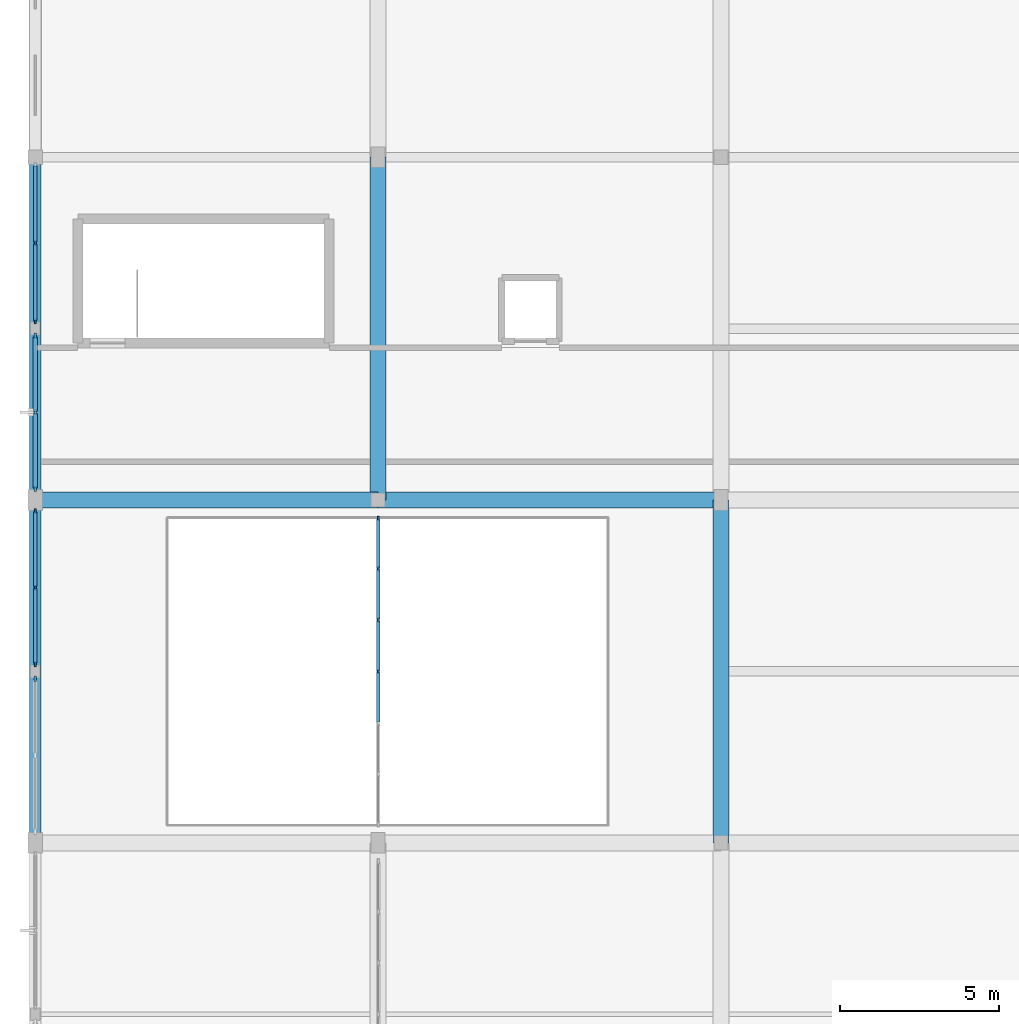
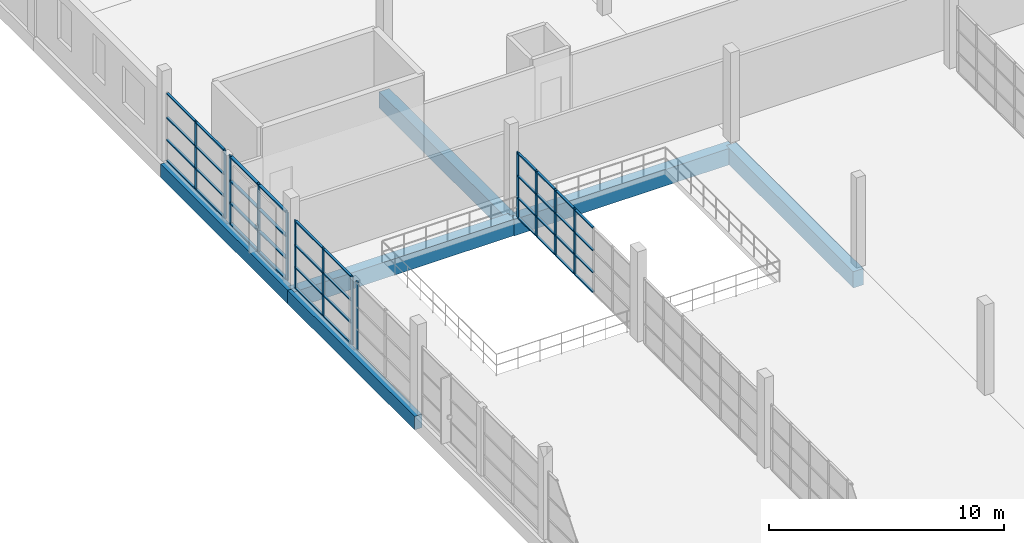
# One storey, part 32 of 142: 53 members, 6 beams, 5 elements without a shape of their own.
"""IFC4 building model written with IfcOpenShell, lengths in metres."""

from ifc_helpers import new_model, si_unit, direction, frame, origin, origin_2d, place, context, subcontext, project, spatial, rectangle, extrude, material, material_profile, profile_set, type_object, element, aggregate, save


model = new_model("IFC4")

# Units and contexts
model_context = context("Model", 3, precision=1e-05, world=origin(), true_north=direction((0.0, 1.0)))
body_context = subcontext(model_context, "Body", "Model", "MODEL_VIEW")
ifc_project = project(units=[si_unit("LENGTHUNIT", "METRE"), si_unit("AREAUNIT", "SQUARE_METRE"), si_unit("VOLUMEUNIT", "CUBIC_METRE"), si_unit("PLANEANGLEUNIT", "RADIAN"), si_unit("MASSUNIT", "GRAM", prefix="KILO")], contexts=[model_context])

# Site, building, storey
site_placement = place(None, origin())
site = spatial("IfcSite", under=ifc_project, at=site_placement, CompositionType="ELEMENT")
building_placement = place(site_placement, origin())
building = spatial("IfcBuilding", under=site, at=building_placement, Name="Zwinboog Wholesale Market", CompositionType="ELEMENT")
storey_placement = place(building_placement, frame((0.0, 0.0, 5.39990234375)))
storey = spatial("IfcBuildingStorey", under=building, at=storey_placement, Name="L01", CompositionType="ELEMENT", Elevation=5.39990234375)

# Beams
ifc_material_1 = material(Name="Precast concrete C45/55", Category="concrete")
ifc_material_profile_1 = material_profile(ifc_material_1, rectangle(XDim=0.5, YDim=0.85009765625, at=origin_2d()), Name="PC 500x850")
ifc_profile_set_1 = profile_set([ifc_material_profile_1], Name="Precast concrete C45/55")
beam_type_1 = type_object("IfcBeamType", Name="BT-03", PredefinedType="BEAM", material=ifc_profile_set_1)
for number, where, z_axis, x_axis, name in (
    (1, (0.0, 86.39990234375, -0.704833984375), (1.0, 0.0, 0.0), (0.0, 1.0, 0.0), "BG-03 (BMG-L01-0000-0864-0509)"),
    (2, (10.800048828125, 86.39990234375, -0.72998046875), (1.0, 0.0, 0.0), (0.0, 1.0, 0.0), "BG-03 (BMG-L01-0108-0864-0510)"),
    (3, (10.800048828125, 86.39990234375, -0.704833984375), (0.0, 1.0, 0.0), (-1.0, 0.0, 0.0), "BG-03 (BMG-L01-0108-0864-0619)"),
):
    element("IfcBeam", number, at=place(storey_placement, frame(where, z_axis=z_axis, x_axis=x_axis)), inside=storey, type_object=beam_type_1, Name=name, PredefinedType="BEAM", context=body_context, shape_type="SweptSolid", body=[
        extrude(rectangle(XDim=0.5, YDim=0.85009765625, at=origin_2d()), origin(), (0.0, 0.0, 1.0), 10.800048828125),
    ])
beam_1_placement = place(storey_placement, frame((21.60009765625, 75.60009765625, -0.72998046875), z_axis=(0.0, 1.0, 0.0), x_axis=(-1.0, 0.0, 0.0)))
element("IfcBeam", 4, at=beam_1_placement, inside=storey, type_object=beam_type_1, Name="BG-03 (BMG-L01-0216-0756-0630)", PredefinedType="BEAM", context=body_context, shape_type="SweptSolid", body=[
    extrude(rectangle(XDim=0.5, YDim=0.85009765625, at=origin_2d()), origin(), (0.0, 0.0, 1.0), 10.7998046875),
])
ifc_material_profile_2 = material_profile(ifc_material_1, rectangle(XDim=0.35009765625, YDim=0.699951171875, at=origin_2d()), Name="PC 350x700")
ifc_profile_set_2 = profile_set([ifc_material_profile_2], Name="Precast concrete C45/55")
beam_type_2 = type_object("IfcBeamType", Name="BT-08", PredefinedType="SPANDREL", material=ifc_profile_set_2)
beam_2_placement = place(storey_placement, frame((0.0, 75.60009765625, -0.6298828125), z_axis=(0.0, 1.0, 0.0), x_axis=(-1.0, 0.0, 0.0)))
element("IfcBeam", 5, at=beam_2_placement, inside=storey, type_object=beam_type_2, Name="SP-01 (BMG-L01-0000-0756-0608)", PredefinedType="SPANDREL", context=body_context, shape_type="SweptSolid", body=[
    extrude(rectangle(XDim=0.35009765625, YDim=0.699951171875, at=origin_2d()), origin(), (0.0, 0.0, 1.0), 10.7998046875),
])
beam_3_placement = place(storey_placement, frame((0.0, 86.39990234375, -0.6298828125), z_axis=(0.0, 1.0, 0.0), x_axis=(-1.0, 0.0, 0.0)))
element("IfcBeam", 6, at=beam_3_placement, inside=storey, type_object=beam_type_2, Name="SP-01 (BMG-L01-0000-0864-0609)", PredefinedType="SPANDREL", context=body_context, shape_type="SweptSolid", body=[
    extrude(rectangle(XDim=0.35009765625, YDim=0.699951171875, at=origin_2d()), origin(), (0.0, 0.0, 1.0), 10.800048828125),
])

# Curtain wall, member
ifc_material_2 = material(Name="Aluminium thermally broken curtain wall", Category="aluminium")
curtain_wall_type_1 = type_object("IfcCurtainWallType", Name="CWT-STALL-18", PredefinedType="USERDEFINED", material=ifc_material_2)
curtain_wall_1_placement = place(storey_placement, origin())
curtain_wall_1 = element("IfcCurtainWall", 7, at=curtain_wall_1_placement, inside=storey, type_object=curtain_wall_type_1, Name="CW-01 (CW-L01-061)", ObjectType="STOREFRONT_GLAZING", PredefinedType="USERDEFINED")
ifc_material_3 = material(Name="Aluminium EN AW-6060", Category="aluminium")
ifc_material_profile_3 = material_profile(ifc_material_3, rectangle(XDim=0.06494140625, YDim=0.179931640625, at=origin_2d()), Name="AL 65x180")
ifc_profile_set_3 = profile_set([ifc_material_profile_3], Name="Aluminium EN AW-6060")
member_type_1 = type_object("IfcMemberType", Name="CWM-65x180", PredefinedType="MULLION", material=ifc_profile_set_3)
member_1_placement = place(storey_placement, frame((0.0, 80.767578125, 0.0), z_axis=(0.0, 0.0, 1.0), x_axis=(-1.0, 0.0, 0.0)))
member_1 = element("IfcMember", 8, at=member_1_placement, type_object=member_type_1, Name="CW-01 mullion 3", PredefinedType="MULLION", context=body_context, shape_type="SweptSolid", body=[
    extrude(rectangle(XDim=0.06494140625, YDim=0.179931640625, at=origin_2d()), origin(), (0.0, 0.0, 1.0), 3.530029296875),
])
aggregate(curtain_wall_1, [member_1])

# Curtain wall, members
curtain_wall_type_2 = type_object("IfcCurtainWallType", Name="CWT-HALL-24", PredefinedType="USERDEFINED", material=ifc_material_2)
curtain_wall_2_placement = place(storey_placement, origin())
curtain_wall_2 = element("IfcCurtainWall", 9, at=curtain_wall_2_placement, inside=storey, type_object=curtain_wall_type_2, Name="CW-03 (CW-L01-063)", ObjectType="UNITIZED_CURTAIN_WALL", PredefinedType="USERDEFINED")
member_2_placement = place(storey_placement, frame((0.0, 86.75244140625, 0.0), z_axis=(0.0, 0.0, 1.0), x_axis=(-1.0, 0.0, 0.0)))
member_2 = element("IfcMember", 10, at=member_2_placement, type_object=member_type_1, Name="CW-03 mullion 1", PredefinedType="MULLION", context=body_context, shape_type="SweptSolid", body=[
    extrude(rectangle(XDim=0.06494140625, YDim=0.179931640625, at=origin_2d()), origin(), (0.0, 0.0, 1.0), 3.530029296875),
])
member_3_placement = place(storey_placement, frame((0.0, 89.159912109375, 0.0), z_axis=(0.0, 0.0, 1.0), x_axis=(-1.0, 0.0, 0.0)))
member_3 = element("IfcMember", 11, at=member_3_placement, type_object=member_type_1, Name="CW-03 mullion 2", PredefinedType="MULLION", context=body_context, shape_type="SweptSolid", body=[
    extrude(rectangle(XDim=0.06494140625, YDim=0.179931640625, at=origin_2d()), origin(), (0.0, 0.0, 1.0), 3.530029296875),
])
member_4_placement = place(storey_placement, frame((0.0, 91.5673828125, 0.0), z_axis=(0.0, 0.0, 1.0), x_axis=(-1.0, 0.0, 0.0)))
member_4 = element("IfcMember", 12, at=member_4_placement, type_object=member_type_1, Name="CW-03 mullion 3", PredefinedType="MULLION", context=body_context, shape_type="SweptSolid", body=[
    extrude(rectangle(XDim=0.06494140625, YDim=0.179931640625, at=origin_2d()), origin(), (0.0, 0.0, 1.0), 3.530029296875),
])

curtain_wall_type_3 = type_object("IfcCurtainWallType", Name="CWT-STALL-20", PredefinedType="USERDEFINED", material=ifc_material_2)
curtain_wall_3_placement = place(storey_placement, origin())
curtain_wall_3 = element("IfcCurtainWall", 13, at=curtain_wall_3_placement, inside=storey, type_object=curtain_wall_type_3, Name="CW-02 (CW-L01-062)", ObjectType="STOREFRONT_GLAZING", PredefinedType="USERDEFINED")
ifc_material_profile_4 = material_profile(ifc_material_3, rectangle(XDim=0.06005859375, YDim=0.14990234375, at=origin_2d()), Name="AL 60x150")
ifc_profile_set_4 = profile_set([ifc_material_profile_4], Name="Aluminium EN AW-6060")
member_type_2 = type_object("IfcMemberType", Name="CWM-60x150", PredefinedType="MULLION", material=ifc_profile_set_4)
member_5_placement = place(storey_placement, frame((0.0, 81.22998046875, 0.0), z_axis=(0.0, 0.0, 1.0), x_axis=(-1.0, 0.0, 0.0)))
member_5 = element("IfcMember", 14, at=member_5_placement, type_object=member_type_2, Name="CW-02 mullion 1", PredefinedType="MULLION", context=body_context, shape_type="SweptSolid", body=[
    extrude(rectangle(XDim=0.06005859375, YDim=0.14990234375, at=origin_2d()), origin(), (0.0, 0.0, 1.0), 3.530029296875),
])
member_6_placement = place(storey_placement, frame((0.0, 83.639892578125, 0.0), z_axis=(0.0, 0.0, 1.0), x_axis=(-1.0, 0.0, 0.0)))
member_6 = element("IfcMember", 15, at=member_6_placement, type_object=member_type_2, Name="CW-02 mullion 2", PredefinedType="MULLION", context=body_context, shape_type="SweptSolid", body=[
    extrude(rectangle(XDim=0.06005859375, YDim=0.14990234375, at=origin_2d()), origin(), (0.0, 0.0, 1.0), 3.530029296875),
])
member_7_placement = place(storey_placement, frame((0.0, 86.050048828125, 0.0), z_axis=(0.0, 0.0, 1.0), x_axis=(-1.0, 0.0, 0.0)))
member_7 = element("IfcMember", 16, at=member_7_placement, type_object=member_type_2, Name="CW-02 mullion 3", PredefinedType="MULLION", context=body_context, shape_type="SweptSolid", body=[
    extrude(rectangle(XDim=0.06005859375, YDim=0.14990234375, at=origin_2d()), origin(), (0.0, 0.0, 1.0), 3.530029296875),
])

curtain_wall_type_4 = type_object("IfcCurtainWallType", Name="CWT-GAL-16", PredefinedType="USERDEFINED", material=ifc_material_2)
curtain_wall_4_placement = place(storey_placement, origin())
curtain_wall_4 = element("IfcCurtainWall", 17, at=curtain_wall_4_placement, inside=storey, type_object=curtain_wall_type_4, Name="CW-04 (CW-L01-064)", ObjectType="UNITIZED_CURTAIN_WALL", PredefinedType="USERDEFINED")
member_8_placement = place(storey_placement, frame((0.0, 92.030029296875, 0.0), z_axis=(0.0, 0.0, 1.0), x_axis=(-1.0, 0.0, 0.0)))
member_8 = element("IfcMember", 18, at=member_8_placement, type_object=member_type_2, Name="CW-04 mullion 1", PredefinedType="MULLION", context=body_context, shape_type="SweptSolid", body=[
    extrude(rectangle(XDim=0.06005859375, YDim=0.14990234375, at=origin_2d()), origin(), (0.0, 0.0, 1.0), 3.530029296875),
])
member_9_placement = place(storey_placement, frame((0.0, 94.489990234375, 0.0), z_axis=(0.0, 0.0, 1.0), x_axis=(-1.0, 0.0, 0.0)))
member_9 = element("IfcMember", 19, at=member_9_placement, type_object=member_type_2, Name="CW-04 mullion 2", PredefinedType="MULLION", context=body_context, shape_type="SweptSolid", body=[
    extrude(rectangle(XDim=0.06005859375, YDim=0.14990234375, at=origin_2d()), origin(), (0.0, 0.0, 1.0), 3.530029296875),
])

# Member
ifc_material_profile_5 = material_profile(ifc_material_3, rectangle(XDim=0.139892578125, YDim=0.06494140625, at=origin_2d()), Name="AL 65x140")
ifc_profile_set_5 = profile_set([ifc_material_profile_5], Name="Aluminium EN AW-6060")
member_type_3 = type_object("IfcMemberType", Name="CWT-65x140", PredefinedType="USERDEFINED", material=ifc_profile_set_5)
member_10_placement = place(storey_placement, frame((0.0, 86.784912109375, 0.03271484375), z_axis=(0.0, 1.0, 0.0), x_axis=(-1.0, 0.0, 0.0)))
member_10 = element("IfcMember", 20, at=member_10_placement, type_object=member_type_3, Name="CW-03 transom 1.1", ObjectType="TRANSOM", PredefinedType="USERDEFINED", context=body_context, shape_type="SweptSolid", body=[
    extrude(rectangle(XDim=0.139892578125, YDim=0.06494140625, at=origin_2d()), origin(), (0.0, 0.0, 1.0), 2.342529296875),
])

member_11_placement = place(storey_placement, frame((0.0, 86.784912109375, 1.10009765625), z_axis=(0.0, 1.0, 0.0), x_axis=(-1.0, 0.0, 0.0)))
member_11 = element("IfcMember", 21, at=member_11_placement, type_object=member_type_3, Name="CW-03 transom 1.2", ObjectType="TRANSOM", PredefinedType="USERDEFINED", context=body_context, shape_type="SweptSolid", body=[
    extrude(rectangle(XDim=0.139892578125, YDim=0.06494140625, at=origin_2d()), origin(), (0.0, 0.0, 1.0), 2.342529296875),
])

member_12_placement = place(storey_placement, frame((0.0, 86.784912109375, 2.25), z_axis=(0.0, 1.0, 0.0), x_axis=(-1.0, 0.0, 0.0)))
member_12 = element("IfcMember", 22, at=member_12_placement, type_object=member_type_3, Name="CW-03 transom 1.3", ObjectType="TRANSOM", PredefinedType="USERDEFINED", context=body_context, shape_type="SweptSolid", body=[
    extrude(rectangle(XDim=0.139892578125, YDim=0.06494140625, at=origin_2d()), origin(), (0.0, 0.0, 1.0), 2.342529296875),
])

member_13_placement = place(storey_placement, frame((0.0, 86.784912109375, 3.49755859375), z_axis=(0.0, 1.0, 0.0), x_axis=(-1.0, 0.0, 0.0)))
member_13 = element("IfcMember", 23, at=member_13_placement, type_object=member_type_3, Name="CW-03 transom 1.4", ObjectType="TRANSOM", PredefinedType="USERDEFINED", context=body_context, shape_type="SweptSolid", body=[
    extrude(rectangle(XDim=0.139892578125, YDim=0.06494140625, at=origin_2d()), origin(), (0.0, 0.0, 1.0), 2.342529296875),
])

member_14_placement = place(storey_placement, frame((0.0, 89.1923828125, 0.03271484375), z_axis=(0.0, 1.0, 0.0), x_axis=(-1.0, 0.0, 0.0)))
member_14 = element("IfcMember", 24, at=member_14_placement, type_object=member_type_3, Name="CW-03 transom 2.1", ObjectType="TRANSOM", PredefinedType="USERDEFINED", context=body_context, shape_type="SweptSolid", body=[
    extrude(rectangle(XDim=0.139892578125, YDim=0.06494140625, at=origin_2d()), origin(), (0.0, 0.0, 1.0), 2.342529296875),
])

member_15_placement = place(storey_placement, frame((0.0, 89.1923828125, 1.10009765625), z_axis=(0.0, 1.0, 0.0), x_axis=(-1.0, 0.0, 0.0)))
member_15 = element("IfcMember", 25, at=member_15_placement, type_object=member_type_3, Name="CW-03 transom 2.2", ObjectType="TRANSOM", PredefinedType="USERDEFINED", context=body_context, shape_type="SweptSolid", body=[
    extrude(rectangle(XDim=0.139892578125, YDim=0.06494140625, at=origin_2d()), origin(), (0.0, 0.0, 1.0), 2.342529296875),
])

member_16_placement = place(storey_placement, frame((0.0, 89.1923828125, 2.25), z_axis=(0.0, 1.0, 0.0), x_axis=(-1.0, 0.0, 0.0)))
member_16 = element("IfcMember", 26, at=member_16_placement, type_object=member_type_3, Name="CW-03 transom 2.3", ObjectType="TRANSOM", PredefinedType="USERDEFINED", context=body_context, shape_type="SweptSolid", body=[
    extrude(rectangle(XDim=0.139892578125, YDim=0.06494140625, at=origin_2d()), origin(), (0.0, 0.0, 1.0), 2.342529296875),
])

member_17_placement = place(storey_placement, frame((0.0, 89.1923828125, 3.49755859375), z_axis=(0.0, 1.0, 0.0), x_axis=(-1.0, 0.0, 0.0)))
member_17 = element("IfcMember", 27, at=member_17_placement, type_object=member_type_3, Name="CW-03 transom 2.4", ObjectType="TRANSOM", PredefinedType="USERDEFINED", context=body_context, shape_type="SweptSolid", body=[
    extrude(rectangle(XDim=0.139892578125, YDim=0.06494140625, at=origin_2d()), origin(), (0.0, 0.0, 1.0), 2.342529296875),
])

aggregate(curtain_wall_2, [member_2, member_3, member_4, member_10, member_11, member_12, member_13, member_14, member_15, member_16, member_17])

ifc_material_profile_6 = material_profile(ifc_material_3, rectangle(XDim=0.110107421875, YDim=0.06005859375, at=origin_2d()), Name="AL 60x110")
ifc_profile_set_6 = profile_set([ifc_material_profile_6], Name="Aluminium EN AW-6060")
member_type_4 = type_object("IfcMemberType", Name="CWT-60x110", PredefinedType="USERDEFINED", material=ifc_profile_set_6)
member_18_placement = place(storey_placement, frame((0.0, 81.260009765625, 0.030029296875), z_axis=(0.0, 1.0, 0.0), x_axis=(-1.0, 0.0, 0.0)))
member_18 = element("IfcMember", 28, at=member_18_placement, type_object=member_type_4, Name="CW-02 transom 1.1", ObjectType="TRANSOM", PredefinedType="USERDEFINED", context=body_context, shape_type="SweptSolid", body=[
    extrude(rectangle(XDim=0.110107421875, YDim=0.06005859375, at=origin_2d()), origin(), (0.0, 0.0, 1.0), 2.35009765625),
])

member_19_placement = place(storey_placement, frame((0.0, 81.260009765625, 1.10009765625), z_axis=(0.0, 1.0, 0.0), x_axis=(-1.0, 0.0, 0.0)))
member_19 = element("IfcMember", 29, at=member_19_placement, type_object=member_type_4, Name="CW-02 transom 1.2", ObjectType="TRANSOM", PredefinedType="USERDEFINED", context=body_context, shape_type="SweptSolid", body=[
    extrude(rectangle(XDim=0.110107421875, YDim=0.06005859375, at=origin_2d()), origin(), (0.0, 0.0, 1.0), 2.35009765625),
])

member_20_placement = place(storey_placement, frame((0.0, 81.260009765625, 2.25), z_axis=(0.0, 1.0, 0.0), x_axis=(-1.0, 0.0, 0.0)))
member_20 = element("IfcMember", 30, at=member_20_placement, type_object=member_type_4, Name="CW-02 transom 1.3", ObjectType="TRANSOM", PredefinedType="USERDEFINED", context=body_context, shape_type="SweptSolid", body=[
    extrude(rectangle(XDim=0.110107421875, YDim=0.06005859375, at=origin_2d()), origin(), (0.0, 0.0, 1.0), 2.35009765625),
])

member_21_placement = place(storey_placement, frame((0.0, 81.260009765625, 3.5), z_axis=(0.0, 1.0, 0.0), x_axis=(-1.0, 0.0, 0.0)))
member_21 = element("IfcMember", 31, at=member_21_placement, type_object=member_type_4, Name="CW-02 transom 1.4", ObjectType="TRANSOM", PredefinedType="USERDEFINED", context=body_context, shape_type="SweptSolid", body=[
    extrude(rectangle(XDim=0.110107421875, YDim=0.06005859375, at=origin_2d()), origin(), (0.0, 0.0, 1.0), 2.35009765625),
])

member_22_placement = place(storey_placement, frame((0.0, 83.669921875, 0.030029296875), z_axis=(0.0, 1.0, 0.0), x_axis=(-1.0, 0.0, 0.0)))
member_22 = element("IfcMember", 32, at=member_22_placement, type_object=member_type_4, Name="CW-02 transom 2.1", ObjectType="TRANSOM", PredefinedType="USERDEFINED", context=body_context, shape_type="SweptSolid", body=[
    extrude(rectangle(XDim=0.110107421875, YDim=0.06005859375, at=origin_2d()), origin(), (0.0, 0.0, 1.0), 2.35009765625),
])

member_23_placement = place(storey_placement, frame((0.0, 83.669921875, 1.10009765625), z_axis=(0.0, 1.0, 0.0), x_axis=(-1.0, 0.0, 0.0)))
member_23 = element("IfcMember", 33, at=member_23_placement, type_object=member_type_4, Name="CW-02 transom 2.2", ObjectType="TRANSOM", PredefinedType="USERDEFINED", context=body_context, shape_type="SweptSolid", body=[
    extrude(rectangle(XDim=0.110107421875, YDim=0.06005859375, at=origin_2d()), origin(), (0.0, 0.0, 1.0), 2.35009765625),
])

member_24_placement = place(storey_placement, frame((0.0, 83.669921875, 2.25), z_axis=(0.0, 1.0, 0.0), x_axis=(-1.0, 0.0, 0.0)))
member_24 = element("IfcMember", 34, at=member_24_placement, type_object=member_type_4, Name="CW-02 transom 2.3", ObjectType="TRANSOM", PredefinedType="USERDEFINED", context=body_context, shape_type="SweptSolid", body=[
    extrude(rectangle(XDim=0.110107421875, YDim=0.06005859375, at=origin_2d()), origin(), (0.0, 0.0, 1.0), 2.35009765625),
])

member_25_placement = place(storey_placement, frame((0.0, 83.669921875, 3.5), z_axis=(0.0, 1.0, 0.0), x_axis=(-1.0, 0.0, 0.0)))
member_25 = element("IfcMember", 35, at=member_25_placement, type_object=member_type_4, Name="CW-02 transom 2.4", ObjectType="TRANSOM", PredefinedType="USERDEFINED", context=body_context, shape_type="SweptSolid", body=[
    extrude(rectangle(XDim=0.110107421875, YDim=0.06005859375, at=origin_2d()), origin(), (0.0, 0.0, 1.0), 2.35009765625),
])

aggregate(curtain_wall_3, [member_5, member_6, member_7, member_18, member_19, member_20, member_21, member_22, member_23, member_24, member_25])

member_26_placement = place(storey_placement, frame((0.0, 92.06005859375, 0.030029296875), z_axis=(0.0, 1.0, 0.0), x_axis=(-1.0, 0.0, 0.0)))
member_26 = element("IfcMember", 36, at=member_26_placement, type_object=member_type_4, Name="CW-04 transom 1.1", ObjectType="TRANSOM", PredefinedType="USERDEFINED", context=body_context, shape_type="SweptSolid", body=[
    extrude(rectangle(XDim=0.110107421875, YDim=0.06005859375, at=origin_2d()), origin(), (0.0, 0.0, 1.0), 2.39990234375),
])

member_27_placement = place(storey_placement, frame((0.0, 92.06005859375, 1.10009765625), z_axis=(0.0, 1.0, 0.0), x_axis=(-1.0, 0.0, 0.0)))
member_27 = element("IfcMember", 37, at=member_27_placement, type_object=member_type_4, Name="CW-04 transom 1.2", ObjectType="TRANSOM", PredefinedType="USERDEFINED", context=body_context, shape_type="SweptSolid", body=[
    extrude(rectangle(XDim=0.110107421875, YDim=0.06005859375, at=origin_2d()), origin(), (0.0, 0.0, 1.0), 2.39990234375),
])

member_28_placement = place(storey_placement, frame((0.0, 92.06005859375, 2.25), z_axis=(0.0, 1.0, 0.0), x_axis=(-1.0, 0.0, 0.0)))
member_28 = element("IfcMember", 38, at=member_28_placement, type_object=member_type_4, Name="CW-04 transom 1.3", ObjectType="TRANSOM", PredefinedType="USERDEFINED", context=body_context, shape_type="SweptSolid", body=[
    extrude(rectangle(XDim=0.110107421875, YDim=0.06005859375, at=origin_2d()), origin(), (0.0, 0.0, 1.0), 2.39990234375),
])

member_29_placement = place(storey_placement, frame((0.0, 92.06005859375, 3.5), z_axis=(0.0, 1.0, 0.0), x_axis=(-1.0, 0.0, 0.0)))
member_29 = element("IfcMember", 39, at=member_29_placement, type_object=member_type_4, Name="CW-04 transom 1.4", ObjectType="TRANSOM", PredefinedType="USERDEFINED", context=body_context, shape_type="SweptSolid", body=[
    extrude(rectangle(XDim=0.110107421875, YDim=0.06005859375, at=origin_2d()), origin(), (0.0, 0.0, 1.0), 2.39990234375),
])

member_30_placement = place(storey_placement, frame((0.0, 94.52001953125, 0.030029296875), z_axis=(0.0, 1.0, 0.0), x_axis=(-1.0, 0.0, 0.0)))
member_30 = element("IfcMember", 40, at=member_30_placement, type_object=member_type_4, Name="CW-04 transom 2.1", ObjectType="TRANSOM", PredefinedType="USERDEFINED", context=body_context, shape_type="SweptSolid", body=[
    extrude(rectangle(XDim=0.110107421875, YDim=0.06005859375, at=origin_2d()), origin(), (0.0, 0.0, 1.0), 2.39990234375),
])

member_31_placement = place(storey_placement, frame((0.0, 94.52001953125, 1.10009765625), z_axis=(0.0, 1.0, 0.0), x_axis=(-1.0, 0.0, 0.0)))
member_31 = element("IfcMember", 41, at=member_31_placement, type_object=member_type_4, Name="CW-04 transom 2.2", ObjectType="TRANSOM", PredefinedType="USERDEFINED", context=body_context, shape_type="SweptSolid", body=[
    extrude(rectangle(XDim=0.110107421875, YDim=0.06005859375, at=origin_2d()), origin(), (0.0, 0.0, 1.0), 2.39990234375),
])

member_32_placement = place(storey_placement, frame((0.0, 94.52001953125, 2.25), z_axis=(0.0, 1.0, 0.0), x_axis=(-1.0, 0.0, 0.0)))
member_32 = element("IfcMember", 42, at=member_32_placement, type_object=member_type_4, Name="CW-04 transom 2.3", ObjectType="TRANSOM", PredefinedType="USERDEFINED", context=body_context, shape_type="SweptSolid", body=[
    extrude(rectangle(XDim=0.110107421875, YDim=0.06005859375, at=origin_2d()), origin(), (0.0, 0.0, 1.0), 2.39990234375),
])

member_33_placement = place(storey_placement, frame((0.0, 94.52001953125, 3.5), z_axis=(0.0, 1.0, 0.0), x_axis=(-1.0, 0.0, 0.0)))
member_33 = element("IfcMember", 43, at=member_33_placement, type_object=member_type_4, Name="CW-04 transom 2.4", ObjectType="TRANSOM", PredefinedType="USERDEFINED", context=body_context, shape_type="SweptSolid", body=[
    extrude(rectangle(XDim=0.110107421875, YDim=0.06005859375, at=origin_2d()), origin(), (0.0, 0.0, 1.0), 2.39990234375),
])

aggregate(curtain_wall_4, [member_8, member_9, member_26, member_27, member_28, member_29, member_30, member_31, member_32, member_33])

# Curtain wall, members
curtain_wall_type_5 = type_object("IfcCurtainWallType", Name="CWT-INT-STALL", PredefinedType="USERDEFINED", material=ifc_material_2)
curtain_wall_5_placement = place(storey_placement, origin())
curtain_wall_5 = element("IfcCurtainWall", 44, at=curtain_wall_5_placement, inside=storey, type_object=curtain_wall_type_5, Name="CW-07 (CW-STL-262)", ObjectType="STOREFRONT_GLAZING", PredefinedType="USERDEFINED")
ifc_material_profile_7 = material_profile(ifc_material_3, rectangle(XDim=0.06005859375, YDim=0.14990234375, at=origin_2d()), Name="AL 60x150")
ifc_profile_set_7 = profile_set([ifc_material_profile_7], Name="Aluminium EN AW-6060")
member_type_5 = type_object("IfcMemberType", Name="CWM-INT-60x120", PredefinedType="MULLION", material=ifc_profile_set_7)
member_34_placement = place(storey_placement, frame((10.800048828125, 81.0, 0.0), z_axis=(0.0, 0.0, 1.0), x_axis=(-1.0, 0.0, 0.0)))
member_34 = element("IfcMember", 45, at=member_34_placement, type_object=member_type_5, Name="CW-07 mullion 4", PredefinedType="MULLION", context=body_context, shape_type="SweptSolid", body=[
    extrude(rectangle(XDim=0.06005859375, YDim=0.14990234375, at=origin_2d()), origin(), (0.0, 0.0, 1.0), 3.400146484375),
])
member_35_placement = place(storey_placement, frame((10.800048828125, 82.61669921875, 0.0), z_axis=(0.0, 0.0, 1.0), x_axis=(-1.0, 0.0, 0.0)))
member_35 = element("IfcMember", 46, at=member_35_placement, type_object=member_type_5, Name="CW-07 mullion 5", PredefinedType="MULLION", context=body_context, shape_type="SweptSolid", body=[
    extrude(rectangle(XDim=0.06005859375, YDim=0.14990234375, at=origin_2d()), origin(), (0.0, 0.0, 1.0), 3.400146484375),
])
member_36_placement = place(storey_placement, frame((10.800048828125, 84.2333984375, 0.0), z_axis=(0.0, 0.0, 1.0), x_axis=(-1.0, 0.0, 0.0)))
member_36 = element("IfcMember", 47, at=member_36_placement, type_object=member_type_5, Name="CW-07 mullion 6", PredefinedType="MULLION", context=body_context, shape_type="SweptSolid", body=[
    extrude(rectangle(XDim=0.06005859375, YDim=0.14990234375, at=origin_2d()), origin(), (0.0, 0.0, 1.0), 3.400146484375),
])
member_37_placement = place(storey_placement, frame((10.800048828125, 85.820068359375, 0.0), z_axis=(0.0, 0.0, 1.0), x_axis=(-1.0, 0.0, 0.0)))
member_37 = element("IfcMember", 48, at=member_37_placement, type_object=member_type_5, Name="CW-07 mullion 7", PredefinedType="MULLION", context=body_context, shape_type="SweptSolid", body=[
    extrude(rectangle(XDim=0.06005859375, YDim=0.14990234375, at=origin_2d()), origin(), (0.0, 0.0, 1.0), 3.400146484375),
])
ifc_material_profile_8 = material_profile(ifc_material_3, rectangle(XDim=0.110107421875, YDim=0.06005859375, at=origin_2d()), Name="AL 60x110")
ifc_profile_set_8 = profile_set([ifc_material_profile_8], Name="Aluminium EN AW-6060")
member_type_6 = type_object("IfcMemberType", Name="CWT-INT-60x100", PredefinedType="USERDEFINED", material=ifc_profile_set_8)
member_38_placement = place(storey_placement, frame((10.800048828125, 79.413330078125, 0.030029296875), z_axis=(0.0, 1.0, 0.0), x_axis=(-1.0, 0.0, 0.0)))
member_38 = element("IfcMember", 49, at=member_38_placement, type_object=member_type_6, Name="CW-07 transom 3.1", ObjectType="TRANSOM", PredefinedType="USERDEFINED", context=body_context, shape_type="SweptSolid", body=[
    extrude(rectangle(XDim=0.110107421875, YDim=0.06005859375, at=origin_2d()), origin(), (0.0, 0.0, 1.0), 1.556640625),
])
member_39_placement = place(storey_placement, frame((10.800048828125, 79.413330078125, 1.050048828125), z_axis=(0.0, 1.0, 0.0), x_axis=(-1.0, 0.0, 0.0)))
member_39 = element("IfcMember", 50, at=member_39_placement, type_object=member_type_6, Name="CW-07 transom 3.2", ObjectType="TRANSOM", PredefinedType="USERDEFINED", context=body_context, shape_type="SweptSolid", body=[
    extrude(rectangle(XDim=0.110107421875, YDim=0.06005859375, at=origin_2d()), origin(), (0.0, 0.0, 1.0), 1.556640625),
])
member_40_placement = place(storey_placement, frame((10.800048828125, 79.413330078125, 2.2001953125), z_axis=(0.0, 1.0, 0.0), x_axis=(-1.0, 0.0, 0.0)))
member_40 = element("IfcMember", 51, at=member_40_placement, type_object=member_type_6, Name="CW-07 transom 3.3", ObjectType="TRANSOM", PredefinedType="USERDEFINED", context=body_context, shape_type="SweptSolid", body=[
    extrude(rectangle(XDim=0.110107421875, YDim=0.06005859375, at=origin_2d()), origin(), (0.0, 0.0, 1.0), 1.556640625),
])
member_41_placement = place(storey_placement, frame((10.800048828125, 79.413330078125, 3.3701171875), z_axis=(0.0, 1.0, 0.0), x_axis=(-1.0, 0.0, 0.0)))
member_41 = element("IfcMember", 52, at=member_41_placement, type_object=member_type_6, Name="CW-07 transom 3.4", ObjectType="TRANSOM", PredefinedType="USERDEFINED", context=body_context, shape_type="SweptSolid", body=[
    extrude(rectangle(XDim=0.110107421875, YDim=0.06005859375, at=origin_2d()), origin(), (0.0, 0.0, 1.0), 1.556640625),
])
member_42_placement = place(storey_placement, frame((10.800048828125, 81.030029296875, 0.030029296875), z_axis=(0.0, 1.0, 0.0), x_axis=(-1.0, 0.0, 0.0)))
member_42 = element("IfcMember", 53, at=member_42_placement, type_object=member_type_6, Name="CW-07 transom 4.1", ObjectType="TRANSOM", PredefinedType="USERDEFINED", context=body_context, shape_type="SweptSolid", body=[
    extrude(rectangle(XDim=0.110107421875, YDim=0.06005859375, at=origin_2d()), origin(), (0.0, 0.0, 1.0), 1.556640625),
])
member_43_placement = place(storey_placement, frame((10.800048828125, 81.030029296875, 1.050048828125), z_axis=(0.0, 1.0, 0.0), x_axis=(-1.0, 0.0, 0.0)))
member_43 = element("IfcMember", 54, at=member_43_placement, type_object=member_type_6, Name="CW-07 transom 4.2", ObjectType="TRANSOM", PredefinedType="USERDEFINED", context=body_context, shape_type="SweptSolid", body=[
    extrude(rectangle(XDim=0.110107421875, YDim=0.06005859375, at=origin_2d()), origin(), (0.0, 0.0, 1.0), 1.556640625),
])
member_44_placement = place(storey_placement, frame((10.800048828125, 81.030029296875, 2.2001953125), z_axis=(0.0, 1.0, 0.0), x_axis=(-1.0, 0.0, 0.0)))
member_44 = element("IfcMember", 55, at=member_44_placement, type_object=member_type_6, Name="CW-07 transom 4.3", ObjectType="TRANSOM", PredefinedType="USERDEFINED", context=body_context, shape_type="SweptSolid", body=[
    extrude(rectangle(XDim=0.110107421875, YDim=0.06005859375, at=origin_2d()), origin(), (0.0, 0.0, 1.0), 1.556640625),
])
member_45_placement = place(storey_placement, frame((10.800048828125, 81.030029296875, 3.3701171875), z_axis=(0.0, 1.0, 0.0), x_axis=(-1.0, 0.0, 0.0)))
member_45 = element("IfcMember", 56, at=member_45_placement, type_object=member_type_6, Name="CW-07 transom 4.4", ObjectType="TRANSOM", PredefinedType="USERDEFINED", context=body_context, shape_type="SweptSolid", body=[
    extrude(rectangle(XDim=0.110107421875, YDim=0.06005859375, at=origin_2d()), origin(), (0.0, 0.0, 1.0), 1.556640625),
])
member_46_placement = place(storey_placement, frame((10.800048828125, 82.646728515625, 0.030029296875), z_axis=(0.0, 1.0, 0.0), x_axis=(-1.0, 0.0, 0.0)))
member_46 = element("IfcMember", 57, at=member_46_placement, type_object=member_type_6, Name="CW-07 transom 5.1", ObjectType="TRANSOM", PredefinedType="USERDEFINED", context=body_context, shape_type="SweptSolid", body=[
    extrude(rectangle(XDim=0.110107421875, YDim=0.06005859375, at=origin_2d()), origin(), (0.0, 0.0, 1.0), 1.556640625),
])
member_47_placement = place(storey_placement, frame((10.800048828125, 82.646728515625, 1.050048828125), z_axis=(0.0, 1.0, 0.0), x_axis=(-1.0, 0.0, 0.0)))
member_47 = element("IfcMember", 58, at=member_47_placement, type_object=member_type_6, Name="CW-07 transom 5.2", ObjectType="TRANSOM", PredefinedType="USERDEFINED", context=body_context, shape_type="SweptSolid", body=[
    extrude(rectangle(XDim=0.110107421875, YDim=0.06005859375, at=origin_2d()), origin(), (0.0, 0.0, 1.0), 1.556640625),
])
member_48_placement = place(storey_placement, frame((10.800048828125, 82.646728515625, 2.2001953125), z_axis=(0.0, 1.0, 0.0), x_axis=(-1.0, 0.0, 0.0)))
member_48 = element("IfcMember", 59, at=member_48_placement, type_object=member_type_6, Name="CW-07 transom 5.3", ObjectType="TRANSOM", PredefinedType="USERDEFINED", context=body_context, shape_type="SweptSolid", body=[
    extrude(rectangle(XDim=0.110107421875, YDim=0.06005859375, at=origin_2d()), origin(), (0.0, 0.0, 1.0), 1.556640625),
])
member_49_placement = place(storey_placement, frame((10.800048828125, 82.646728515625, 3.3701171875), z_axis=(0.0, 1.0, 0.0), x_axis=(-1.0, 0.0, 0.0)))
member_49 = element("IfcMember", 60, at=member_49_placement, type_object=member_type_6, Name="CW-07 transom 5.4", ObjectType="TRANSOM", PredefinedType="USERDEFINED", context=body_context, shape_type="SweptSolid", body=[
    extrude(rectangle(XDim=0.110107421875, YDim=0.06005859375, at=origin_2d()), origin(), (0.0, 0.0, 1.0), 1.556640625),
])
member_50_placement = place(storey_placement, frame((10.800048828125, 84.263427734375, 0.030029296875), z_axis=(0.0, 1.0, 0.0), x_axis=(-1.0, 0.0, 0.0)))
member_50 = element("IfcMember", 61, at=member_50_placement, type_object=member_type_6, Name="CW-07 transom 6.1", ObjectType="TRANSOM", PredefinedType="USERDEFINED", context=body_context, shape_type="SweptSolid", body=[
    extrude(rectangle(XDim=0.110107421875, YDim=0.06005859375, at=origin_2d()), origin(), (0.0, 0.0, 1.0), 1.526611328125),
])
member_51_placement = place(storey_placement, frame((10.800048828125, 84.263427734375, 1.050048828125), z_axis=(0.0, 1.0, 0.0), x_axis=(-1.0, 0.0, 0.0)))
member_51 = element("IfcMember", 62, at=member_51_placement, type_object=member_type_6, Name="CW-07 transom 6.2", ObjectType="TRANSOM", PredefinedType="USERDEFINED", context=body_context, shape_type="SweptSolid", body=[
    extrude(rectangle(XDim=0.110107421875, YDim=0.06005859375, at=origin_2d()), origin(), (0.0, 0.0, 1.0), 1.526611328125),
])
member_52_placement = place(storey_placement, frame((10.800048828125, 84.263427734375, 2.2001953125), z_axis=(0.0, 1.0, 0.0), x_axis=(-1.0, 0.0, 0.0)))
member_52 = element("IfcMember", 63, at=member_52_placement, type_object=member_type_6, Name="CW-07 transom 6.3", ObjectType="TRANSOM", PredefinedType="USERDEFINED", context=body_context, shape_type="SweptSolid", body=[
    extrude(rectangle(XDim=0.110107421875, YDim=0.06005859375, at=origin_2d()), origin(), (0.0, 0.0, 1.0), 1.526611328125),
])
member_53_placement = place(storey_placement, frame((10.800048828125, 84.263427734375, 3.3701171875), z_axis=(0.0, 1.0, 0.0), x_axis=(-1.0, 0.0, 0.0)))
member_53 = element("IfcMember", 64, at=member_53_placement, type_object=member_type_6, Name="CW-07 transom 6.4", ObjectType="TRANSOM", PredefinedType="USERDEFINED", context=body_context, shape_type="SweptSolid", body=[
    extrude(rectangle(XDim=0.110107421875, YDim=0.06005859375, at=origin_2d()), origin(), (0.0, 0.0, 1.0), 1.526611328125),
])
aggregate(curtain_wall_5, [member_34, member_35, member_36, member_37, member_38, member_39, member_40, member_41, member_42, member_43, member_44, member_45, member_46, member_47, member_48, member_49, member_50, member_51, member_52, member_53])

save(model, "model.ifc")
